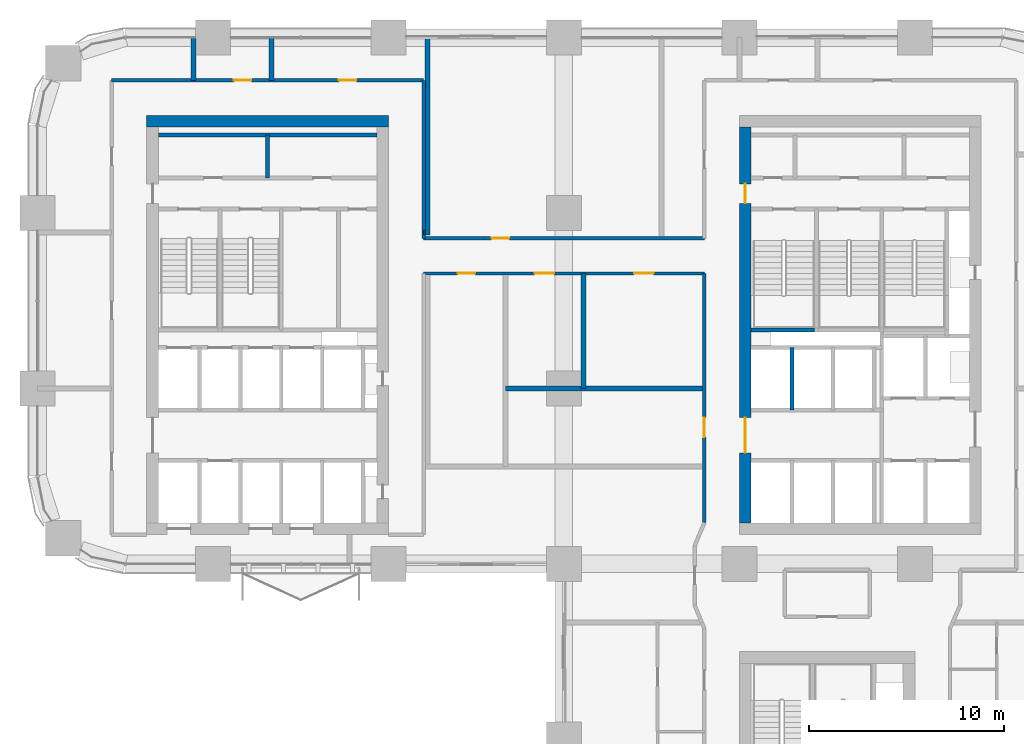
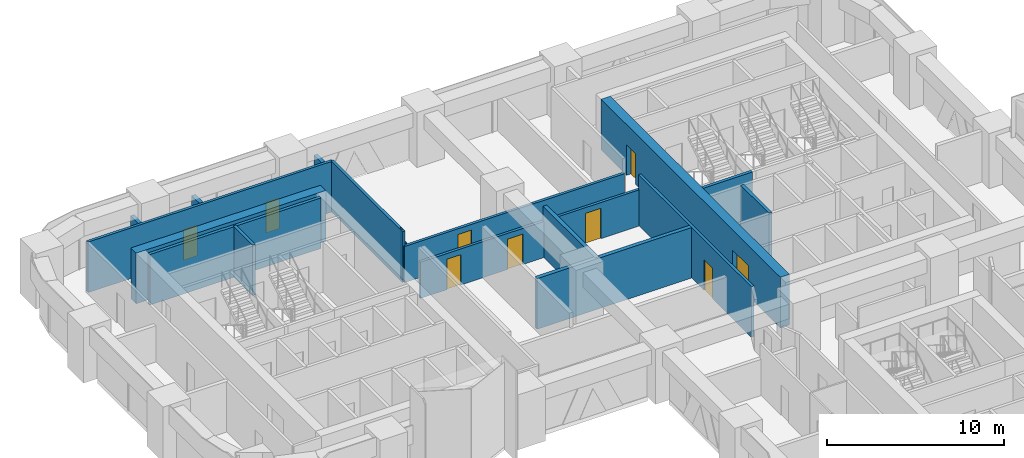
# One storey, part 16 of 24: 17 walls, 9 doors, 9 openings.
"""IFC4 building model written with IfcOpenShell, lengths in metres."""

from ifc_helpers import new_model, si_unit, direction, frame, frame_2d, origin, place, context, subcontext, project, spatial, rectangle, extrude, material, layer, layer_set, type_object, element, fill, save


model = new_model("IFC4")

# Units and contexts
model_context = context("Model", 3, precision=1e-05, world=origin(), true_north=direction((0.0, 1.0)))
body_context = subcontext(model_context, "Body", "Model", "MODEL_VIEW")
ifc_project = project(units=[si_unit("LENGTHUNIT", "METRE"), si_unit("AREAUNIT", "SQUARE_METRE"), si_unit("VOLUMEUNIT", "CUBIC_METRE"), si_unit("PLANEANGLEUNIT", "RADIAN"), si_unit("MASSUNIT", "GRAM", prefix="KILO")], contexts=[model_context])

# Site, building, storey
site_placement = place(None, origin())
site = spatial("IfcSite", under=ifc_project, at=site_placement, CompositionType="ELEMENT")
building_placement = place(site_placement, origin())
building = spatial("IfcBuilding", under=site, at=building_placement, Name="Tessera Arch", CompositionType="ELEMENT")
storey_placement = place(building_placement, frame((0.0, 0.0, 81.60009765625)))
storey = spatial("IfcBuildingStorey", under=building, at=storey_placement, Name="L18", CompositionType="ELEMENT", Elevation=81.60009765625)

# Walls
ifc_material_1 = material(Name="Gypsum board on steel stud", Category="steel")
ifc_layer_1 = layer(ifc_material_1, 0.125)
ifc_layer_set_1 = layer_set([ifc_layer_1], Name="Core partition 125 EI 60")
wall_type_1 = type_object("IfcWallType", Name="Core partition 125 EI 60", PredefinedType="PARTITIONING", material=ifc_layer_set_1)
wall_1_placement = place(storey_placement, frame((11.800048828125, 46.800048828125, 0.0), z_axis=(0.0, 0.0, 1.0), x_axis=(0.0, 1.0, 0.0)))
element("IfcWall", 1, at=wall_1_placement, inside=storey, type_object=wall_type_1, Name="L18 C2 partition wall 7", PredefinedType="PARTITIONING", context=body_context, shape_type="SweptSolid", body=[
    extrude(rectangle(XDim=2.199951171875, YDim=0.199951171875, at=frame_2d((1.10009765625, 0.0))), origin(), (0.0, 0.0, 1.0), 3.5),
])
wall_2_placement = place(storey_placement, frame((6.199951171875, 49.0, 0.0), z_axis=(0.0, 0.0, 1.0), x_axis=(1.0, 0.0, 0.0)))
element("IfcWall", 2, at=wall_2_placement, inside=storey, type_object=wall_type_1, Name="L18 C2 partition wall 27", PredefinedType="PARTITIONING", context=body_context, shape_type="SweptSolid", body=[
    extrude(rectangle(XDim=11.199951171875, YDim=0.199951171875, at=frame_2d((5.60009765625, 0.0))), origin(), (0.0, 0.0, 1.0), 3.5),
])

# Wall, openings, doors
ifc_material_2 = material(Name="Concrete C70/85", Category="concrete")
ifc_layer_2 = layer(ifc_material_2, 0.60009765625)
ifc_layer_set_2 = layer_set([ifc_layer_2], Name="Core shell wall 600 C70-85")
wall_type_2 = type_object("IfcWallType", Name="Core shell wall 600 C70-85", PredefinedType="SHEAR", material=ifc_layer_set_2)
wall_3_placement = place(storey_placement, frame((36.300048828125, 29.10009765625, 0.0), z_axis=(0.0, 0.0, 1.0), x_axis=(0.0, 1.0, 0.0)))
wall_3 = element("IfcWall", 3, at=wall_3_placement, inside=storey, type_object=wall_type_2, Name="L18 C1 core wall W", PredefinedType="SHEAR", context=body_context, shape_type="SweptSolid", body=[
    extrude(rectangle(XDim=20.2998046875, YDim=0.60009765625, at=frame_2d((10.14990234375, 0.0))), origin(), (0.0, 0.0, 1.0), 3.5),
])
opening_1_placement = place(wall_3_placement, frame((3.60009765625, 0.0, 0.0)))
opening_1 = element("IfcOpeningElement", 4, at=opening_1_placement, cuts=wall_3, Name="Opening L18-C04", PredefinedType="OPENING", context=body_context, shape_type="SweptSolid", body=[
    extrude(rectangle(XDim=1.800048828125, YDim=2.10009765625, at=frame_2d((0.89990234375, 1.050048828125))), frame((0.0, 0.31005859375, 0.0), z_axis=(0.0, -1.0, 0.0), x_axis=(1.0, 0.0, 0.0)), (0.0, 0.0, 1.0), 0.6201171875),
])
opening_2_placement = place(wall_3_placement, frame((16.39990234375, 0.0, 0.0)))
opening_2 = element("IfcOpeningElement", 5, at=opening_2_placement, cuts=wall_3, Name="Opening L18-C11", PredefinedType="OPENING", context=body_context, shape_type="SweptSolid", body=[
    extrude(rectangle(XDim=1.0, YDim=2.10009765625, at=frame_2d((0.5, 1.050048828125))), frame((0.0, 0.31005859375, 0.0), z_axis=(0.0, -1.0, 0.0), x_axis=(1.0, 0.0, 0.0)), (0.0, 0.0, 1.0), 0.6201171875),
])
ifc_material_3 = material(Name="Steel door leaf", Category="steel")
door_type_1 = type_object("IfcDoorType", Name="Corridor door FD60 1000 x 2100", OperationType="SINGLE_SWING_LEFT", PredefinedType="DOOR", material=ifc_material_3)
door_1_placement = place(opening_2_placement, origin())
door_1 = element("IfcDoor", 6, at=door_1_placement, inside=storey, type_object=door_type_1, Name="L18 C1 door 11 C11 type D12", OperationType="SINGLE_SWING_RIGHT", OverallHeight=2.10009765625, OverallWidth=1.0, PredefinedType="DOOR", context=body_context, shape_type="SweptSolid", body=[
    extrude(rectangle(XDim=1.0, YDim=2.10009765625, at=frame_2d((0.5, 1.050048828125))), frame((0.0, 0.02490234375, 0.0), z_axis=(0.0, -1.0, 0.0), x_axis=(1.0, 0.0, 0.0)), (0.0, 0.0, 1.0), 0.050048828125),
])
fill(opening_2, door_1)
ifc_material_4 = material(Name="Glazed steel door leaf", Category="steel")
door_type_2 = type_object("IfcDoorType", Name="Lobby double door FD30S 1800 x 2100", OperationType="DOUBLE_DOOR_SINGLE_SWING", PredefinedType="DOOR", material=ifc_material_4)
door_2_placement = place(opening_1_placement, origin())
door_2 = element("IfcDoor", 7, at=door_2_placement, inside=storey, type_object=door_type_2, Name="L18 C1 door 4 C04 type D06", OperationType="DOUBLE_DOOR_SINGLE_SWING", OverallHeight=2.10009765625, OverallWidth=1.800048828125, PredefinedType="DOOR", context=body_context, shape_type="SweptSolid", body=[
    extrude(rectangle(XDim=1.800048828125, YDim=2.10009765625, at=frame_2d((0.89990234375, 1.050048828125))), frame((0.0, 0.02490234375, 0.0), z_axis=(0.0, -1.0, 0.0), x_axis=(1.0, 0.0, 0.0)), (0.0, 0.0, 1.0), 0.050048828125),
])
fill(opening_1, door_2)

# Wall
wall_4_placement = place(storey_placement, frame((5.60009765625, 49.699951171875, 0.0), z_axis=(0.0, 0.0, 1.0), x_axis=(1.0, 0.0, 0.0)))
element("IfcWall", 8, at=wall_4_placement, inside=storey, type_object=wall_type_2, Name="L18 C2 core wall N", PredefinedType="SHEAR", context=body_context, shape_type="SweptSolid", body=[
    extrude(rectangle(XDim=12.39990234375, YDim=0.60009765625, at=frame_2d((6.199951171875, 0.0))), origin(), (0.0, 0.0, 1.0), 3.5),
])

# Wall, openings, doors
ifc_material_5 = material(Name="Gypsum board on deep steel stud with mineral wool", Category="steel")
ifc_layer_3 = layer(ifc_material_5, 0.175048828125)
ifc_layer_set_3 = layer_set([ifc_layer_3], Name="Corridor wall 175 EI 60")
wall_type_3 = type_object("IfcWallType", Name="Corridor wall 175 EI 60", PredefinedType="PARTITIONING", material=ifc_layer_set_3)
wall_5_placement = place(storey_placement, frame((19.800048828125, 41.89990234375, 0.0), z_axis=(0.0, 0.0, 1.0), x_axis=(1.0, 0.0, 0.0)))
wall_5 = element("IfcWall", 9, at=wall_5_placement, inside=storey, type_object=wall_type_3, Name="L18 partition 7", PredefinedType="PARTITIONING", context=body_context, shape_type="SweptSolid", body=[
    extrude(rectangle(XDim=14.39990234375, YDim=0.175048828125, at=frame_2d((7.199951171875, 0.0))), origin(), (0.0, 0.0, 1.0), 2.5),
])
opening_3_placement = place(wall_5_placement, frame((1.75, 0.0, 0.0)))
opening_3 = element("IfcOpeningElement", 10, at=opening_3_placement, cuts=wall_5, Name="Opening L18-D028", PredefinedType="OPENING", context=body_context, shape_type="SweptSolid", body=[
    extrude(rectangle(XDim=0.89990234375, YDim=2.10009765625, at=frame_2d((0.449951171875, 1.050048828125))), frame((0.0, 0.097412109375, 0.0), z_axis=(0.0, -1.0, 0.0), x_axis=(1.0, 0.0, 0.0)), (0.0, 0.0, 1.0), 0.195068359375),
])
opening_4_placement = place(wall_5_placement, frame((10.800048828125, 0.0, 0.0)))
opening_4 = element("IfcOpeningElement", 11, at=opening_4_placement, cuts=wall_5, Name="Opening L18-D029", PredefinedType="OPENING", context=body_context, shape_type="SweptSolid", body=[
    extrude(rectangle(XDim=1.0, YDim=2.10009765625, at=frame_2d((0.5, 1.050048828125))), frame((0.0, 0.097412109375, 0.0), z_axis=(0.0, -1.0, 0.0), x_axis=(1.0, 0.0, 0.0)), (0.0, 0.0, 1.0), 0.195068359375),
])
opening_5_placement = place(wall_5_placement, frame((5.699951171875, 0.0, 0.0)))
opening_5 = element("IfcOpeningElement", 12, at=opening_5_placement, cuts=wall_5, Name="Opening L18-D030", PredefinedType="OPENING", context=body_context, shape_type="SweptSolid", body=[
    extrude(rectangle(XDim=1.0, YDim=2.10009765625, at=frame_2d((0.5, 1.050048828125))), frame((0.0, 0.097412109375, 0.0), z_axis=(0.0, -1.0, 0.0), x_axis=(1.0, 0.0, 0.0)), (0.0, 0.0, 1.0), 0.195068359375),
])
ifc_material_6 = material(Name="Fire-rated door leaf")
door_type_3 = type_object("IfcDoorType", Name="Entrance door FD30S 1000 x 2100", OperationType="SINGLE_SWING_LEFT", PredefinedType="DOOR", material=ifc_material_6)
door_3_placement = place(opening_4_placement, origin())
door_3 = element("IfcDoor", 13, at=door_3_placement, inside=storey, type_object=door_type_3, Name="L18 door D029 type D03", OperationType="SINGLE_SWING_LEFT", OverallHeight=2.10009765625, OverallWidth=1.0, PredefinedType="DOOR", context=body_context, shape_type="SweptSolid", body=[
    extrude(rectangle(XDim=1.0, YDim=2.10009765625, at=frame_2d((0.5, 1.050048828125))), frame((0.0, 0.02490234375, 0.0), z_axis=(0.0, -1.0, 0.0), x_axis=(1.0, 0.0, 0.0)), (0.0, 0.0, 1.0), 0.050048828125),
])
fill(opening_4, door_3)
door_4_placement = place(opening_5_placement, origin())
door_4 = element("IfcDoor", 14, at=door_4_placement, inside=storey, type_object=door_type_3, Name="L18 door D030 type D03", OperationType="SINGLE_SWING_RIGHT", OverallHeight=2.10009765625, OverallWidth=1.0, PredefinedType="DOOR", context=body_context, shape_type="SweptSolid", body=[
    extrude(rectangle(XDim=1.0, YDim=2.10009765625, at=frame_2d((0.5, 1.050048828125))), frame((0.0, 0.02490234375, 0.0), z_axis=(0.0, -1.0, 0.0), x_axis=(1.0, 0.0, 0.0)), (0.0, 0.0, 1.0), 0.050048828125),
])
fill(opening_5, door_4)
ifc_material_7 = material(Name="Timber door leaf", Category="wood")
door_type_4 = type_object("IfcDoorType", Name="Room door 900 x 2100", OperationType="SINGLE_SWING_LEFT", PredefinedType="DOOR", material=ifc_material_7)
door_5_placement = place(opening_3_placement, origin())
door_5 = element("IfcDoor", 15, at=door_5_placement, inside=storey, type_object=door_type_4, Name="L18 door D028 type D01", OperationType="SINGLE_SWING_RIGHT", OverallHeight=2.10009765625, OverallWidth=0.89990234375, PredefinedType="DOOR", context=body_context, shape_type="SweptSolid", body=[
    extrude(rectangle(XDim=0.89990234375, YDim=2.10009765625, at=frame_2d((0.449951171875, 1.050048828125))), frame((0.0, 0.02490234375, 0.0), z_axis=(0.0, -1.0, 0.0), x_axis=(1.0, 0.0, 0.0)), (0.0, 0.0, 1.0), 0.050048828125),
])
fill(opening_3, door_5)

# Wall, opening, door
wall_6_placement = place(storey_placement, frame((19.800048828125, 43.699951171875, 0.0), z_axis=(0.0, 0.0, 1.0), x_axis=(1.0, 0.0, 0.0)))
wall_6 = element("IfcWall", 16, at=wall_6_placement, inside=storey, type_object=wall_type_3, Name="L18 partition 8", PredefinedType="PARTITIONING", context=body_context, shape_type="SweptSolid", body=[
    extrude(rectangle(XDim=14.39990234375, YDim=0.175048828125, at=frame_2d((7.199951171875, 0.0))), origin(), (0.0, 0.0, 1.0), 2.5),
])
opening_6_placement = place(wall_6_placement, frame((3.489990234375, 0.0, 0.0)))
opening_6 = element("IfcOpeningElement", 17, at=opening_6_placement, cuts=wall_6, Name="Opening L18-D033", PredefinedType="OPENING", context=body_context, shape_type="SweptSolid", body=[
    extrude(rectangle(XDim=0.89990234375, YDim=2.10009765625, at=frame_2d((0.449951171875, 1.050048828125))), frame((0.0, 0.097412109375, 0.0), z_axis=(0.0, -1.0, 0.0), x_axis=(1.0, 0.0, 0.0)), (0.0, 0.0, 1.0), 0.195068359375),
])
door_6_placement = place(opening_6_placement, origin())
door_6 = element("IfcDoor", 18, at=door_6_placement, inside=storey, type_object=door_type_4, Name="L18 door D033 type D01", OperationType="SINGLE_SWING_RIGHT", OverallHeight=2.10009765625, OverallWidth=0.89990234375, PredefinedType="DOOR", context=body_context, shape_type="SweptSolid", body=[
    extrude(rectangle(XDim=0.89990234375, YDim=2.10009765625, at=frame_2d((0.449951171875, 1.050048828125))), frame((0.0, 0.02490234375, 0.0), z_axis=(0.0, -1.0, 0.0), x_axis=(1.0, 0.0, 0.0)), (0.0, 0.0, 1.0), 0.050048828125),
])
fill(opening_6, door_6)

# Wall, openings, doors
wall_7_placement = place(storey_placement, frame((3.800048828125, 51.800048828125, 0.0), z_axis=(0.0, 0.0, 1.0), x_axis=(1.0, 0.0, 0.0)))
wall_7 = element("IfcWall", 19, at=wall_7_placement, inside=storey, type_object=wall_type_3, Name="L18 partition 9", PredefinedType="PARTITIONING", context=body_context, shape_type="SweptSolid", body=[
    extrude(rectangle(XDim=16.0, YDim=0.175048828125, at=frame_2d((8.0, 0.0))), origin(), (0.0, 0.0, 1.0), 3.5),
])
opening_7_placement = place(wall_7_placement, frame((11.64990234375, 0.0, 0.0)))
opening_7 = element("IfcOpeningElement", 20, at=opening_7_placement, cuts=wall_7, Name="Opening L18-D037", PredefinedType="OPENING", context=body_context, shape_type="SweptSolid", body=[
    extrude(rectangle(XDim=0.89990234375, YDim=2.10009765625, at=frame_2d((0.449951171875, 1.050048828125))), frame((0.0, 0.097412109375, 0.0), z_axis=(0.0, -1.0, 0.0), x_axis=(1.0, 0.0, 0.0)), (0.0, 0.0, 1.0), 0.195068359375),
])
opening_8_placement = place(wall_7_placement, frame((6.27001953125, 0.0, 0.0)))
opening_8 = element("IfcOpeningElement", 21, at=opening_8_placement, cuts=wall_7, Name="Opening L18-D038", PredefinedType="OPENING", context=body_context, shape_type="SweptSolid", body=[
    extrude(rectangle(XDim=0.89990234375, YDim=2.10009765625, at=frame_2d((0.449951171875, 1.050048828125))), frame((0.0, 0.097412109375, 0.0), z_axis=(0.0, -1.0, 0.0), x_axis=(1.0, 0.0, 0.0)), (0.0, 0.0, 1.0), 0.195068359375),
])
door_7_placement = place(opening_7_placement, origin())
door_7 = element("IfcDoor", 22, at=door_7_placement, inside=storey, type_object=door_type_4, Name="L18 door D037 type D01", OperationType="SINGLE_SWING_RIGHT", OverallHeight=2.10009765625, OverallWidth=0.89990234375, PredefinedType="DOOR", context=body_context, shape_type="SweptSolid", body=[
    extrude(rectangle(XDim=0.89990234375, YDim=2.10009765625, at=frame_2d((0.449951171875, 1.050048828125))), frame((0.0, 0.02490234375, 0.0), z_axis=(0.0, -1.0, 0.0), x_axis=(1.0, 0.0, 0.0)), (0.0, 0.0, 1.0), 0.050048828125),
])
fill(opening_7, door_7)
door_8_placement = place(opening_8_placement, origin())
door_8 = element("IfcDoor", 23, at=door_8_placement, inside=storey, type_object=door_type_4, Name="L18 door D038 type D01", OperationType="SINGLE_SWING_LEFT", OverallHeight=2.10009765625, OverallWidth=0.89990234375, PredefinedType="DOOR", context=body_context, shape_type="SweptSolid", body=[
    extrude(rectangle(XDim=0.89990234375, YDim=2.10009765625, at=frame_2d((0.449951171875, 1.050048828125))), frame((0.0, 0.02490234375, 0.0), z_axis=(0.0, -1.0, 0.0), x_axis=(1.0, 0.0, 0.0)), (0.0, 0.0, 1.0), 0.050048828125),
])
fill(opening_8, door_8)

# Wall
wall_8_placement = place(storey_placement, frame((19.800048828125, 43.699951171875, 0.0), z_axis=(0.0, 0.0, 1.0), x_axis=(0.0, 1.0, 0.0)))
element("IfcWall", 24, at=wall_8_placement, inside=storey, type_object=wall_type_3, Name="L18 partition 13", PredefinedType="PARTITIONING", context=body_context, shape_type="SweptSolid", body=[
    extrude(rectangle(XDim=8.10009765625, YDim=0.175048828125, at=frame_2d((4.050048828125, 0.0))), origin(), (0.0, 0.0, 1.0), 3.5),
])

# Wall, opening, door
wall_9_placement = place(storey_placement, frame((34.199951171875, 29.1201171875, 0.0), z_axis=(0.0, 0.0, 1.0), x_axis=(0.0, 1.0, 0.0)))
wall_9 = element("IfcWall", 25, at=wall_9_placement, inside=storey, type_object=wall_type_3, Name="L18 partition 16", PredefinedType="PARTITIONING", context=body_context, shape_type="SweptSolid", body=[
    extrude(rectangle(XDim=12.77978515625, YDim=0.175048828125, at=frame_2d((6.389892578125, 0.0))), origin(), (0.0, 0.0, 1.0), 3.5),
])
opening_9_placement = place(wall_9_placement, frame((4.3798828125, 0.0, 0.0)))
opening_9 = element("IfcOpeningElement", 26, at=opening_9_placement, cuts=wall_9, Name="Opening L18-D027", PredefinedType="OPENING", context=body_context, shape_type="SweptSolid", body=[
    extrude(rectangle(XDim=1.0, YDim=2.10009765625, at=frame_2d((0.5, 1.050048828125))), frame((0.0, 0.097412109375, 0.0), z_axis=(0.0, -1.0, 0.0), x_axis=(1.0, 0.0, 0.0)), (0.0, 0.0, 1.0), 0.195068359375),
])
door_9_placement = place(opening_9_placement, origin())
door_9 = element("IfcDoor", 27, at=door_9_placement, inside=storey, type_object=door_type_3, Name="L18 door D027 type D03", OperationType="SINGLE_SWING_RIGHT", OverallHeight=2.10009765625, OverallWidth=1.0, PredefinedType="DOOR", context=body_context, shape_type="SweptSolid", body=[
    extrude(rectangle(XDim=1.0, YDim=2.10009765625, at=frame_2d((0.5, 1.050048828125))), frame((0.0, 0.02490234375, 0.0), z_axis=(0.0, -1.0, 0.0), x_axis=(1.0, 0.0, 0.0)), (0.0, 0.0, 1.0), 0.050048828125),
])
fill(opening_9, door_9)

# Walls
ifc_material_8 = material(Name="Double gypsum board on twin steel stud with acoustic mineral wool", Category="steel")
ifc_layer_4 = layer(ifc_material_8, 0.25)
ifc_layer_set_4 = layer_set([ifc_layer_4], Name="Party wall 250 EI 60")
wall_type_4 = type_object("IfcWallType", Name="Party wall 250 EI 60", PredefinedType="PARTITIONING", material=ifc_layer_set_4)
wall_10_placement = place(storey_placement, frame((24.0, 36.0, 0.0), z_axis=(0.0, 0.0, 1.0), x_axis=(1.0, 0.0, 0.0)))
element("IfcWall", 28, at=wall_10_placement, inside=storey, type_object=wall_type_4, Name="L18 partition 39", PredefinedType="PARTITIONING", context=body_context, shape_type="SweptSolid", body=[
    extrude(rectangle(XDim=10.199951171875, YDim=0.25, at=frame_2d((5.10009765625, 0.0))), origin(), (0.0, 0.0, 1.0), 3.5),
])
wall_11_placement = place(storey_placement, frame((19.800048828125, 44.0, 0.0), z_axis=(0.0, 0.0, 1.0), x_axis=(1.0, 0.0, 0.0)))
element("IfcWall", 29, at=wall_11_placement, inside=storey, type_object=wall_type_4, Name="L18 partition 42", PredefinedType="PARTITIONING", context=body_context, shape_type="SweptSolid", body=[
    extrude(rectangle(XDim=0.074951171875, YDim=0.25, at=frame_2d((0.03759765625, 0.0))), origin(), (0.0, 0.0, 1.0), 3.5),
])
for number, where, z_axis, x_axis, name in (
    (30, (8.0, 51.800048828125, 0.0), (0.0, 0.0, 1.0), (0.0, 1.0, 0.0), "L18 partition 44"),
    (31, (12.0, 51.800048828125, 0.0), (0.0, 0.0, 1.0), (0.0, 1.0, 0.0), "L18 partition 45"),
):
    element("IfcWall", number, at=place(storey_placement, frame(where, z_axis=z_axis, x_axis=x_axis)), inside=storey, type_object=wall_type_4, Name=name, PredefinedType="PARTITIONING", context=body_context, shape_type="SweptSolid", body=[
        extrude(rectangle(XDim=2.199951171875, YDim=0.25, at=frame_2d((1.10009765625, 0.0))), origin(), (0.0, 0.0, 1.0), 2.5),
    ])
wall_12_placement = place(storey_placement, frame((20.0, 43.875, 0.0), z_axis=(0.0, 0.0, 1.0), x_axis=(0.0, 1.0, 0.0)))
element("IfcWall", 32, at=wall_12_placement, inside=storey, type_object=wall_type_4, Name="L18 partition 48", PredefinedType="PARTITIONING", context=body_context, shape_type="SweptSolid", body=[
    extrude(rectangle(XDim=10.125, YDim=0.25, at=frame_2d((5.0625, 0.0))), origin(), (0.0, 0.0, 1.0), 2.5),
])
wall_13_placement = place(storey_placement, frame((28.0, 36.0, 0.0), z_axis=(0.0, 0.0, 1.0), x_axis=(0.0, 1.0, 0.0)))
element("IfcWall", 33, at=wall_13_placement, inside=storey, type_object=wall_type_4, Name="L18 partition 50", PredefinedType="PARTITIONING", context=body_context, shape_type="SweptSolid", body=[
    extrude(rectangle(XDim=5.89990234375, YDim=0.25, at=frame_2d((2.949951171875, 0.0))), origin(), (0.0, 0.0, 1.0), 3.5),
])
ifc_material_9 = material(Name="Concrete C40/50", Category="concrete")
ifc_layer_5 = layer(ifc_material_9, 0.199951171875)
ifc_layer_set_5 = layer_set([ifc_layer_5], Name="Shaft wall 200 EI 120")
wall_type_5 = type_object("IfcWallType", Name="Shaft wall 200 EI 120", PredefinedType="SOLIDWALL", material=ifc_layer_set_5)
wall_14_placement = place(storey_placement, frame((38.699951171875, 34.89990234375, 0.0), z_axis=(0.0, 0.0, 1.0), x_axis=(0.0, 1.0, 0.0)))
element("IfcWall", 34, at=wall_14_placement, inside=storey, type_object=wall_type_5, Name="L18 C1 shaft wall 2", PredefinedType="SOLIDWALL", context=body_context, shape_type="SweptSolid", body=[
    extrude(rectangle(XDim=3.2001953125, YDim=0.199951171875, at=frame_2d((1.60009765625, 0.0))), origin(), (0.0, 0.0, 1.0), 3.5),
])
ifc_material_10 = material(Name="Concrete C40/50", Category="concrete")
ifc_layer_6 = layer(ifc_material_10, 0.199951171875)
ifc_layer_set_6 = layer_set([ifc_layer_6], Name="Stair well wall 200 REI 180")
wall_type_6 = type_object("IfcWallType", Name="Stair well wall 200 REI 180", PredefinedType="SOLIDWALL", material=ifc_layer_set_6)
wall_15_placement = place(storey_placement, frame((36.60009765625, 39.0, 0.0), z_axis=(0.0, 0.0, 1.0), x_axis=(1.0, 0.0, 0.0)))
element("IfcWall", 35, at=wall_15_placement, inside=storey, type_object=wall_type_6, Name="L18 C1 shaft wall 25", PredefinedType="SOLIDWALL", context=body_context, shape_type="SweptSolid", body=[
    extrude(rectangle(XDim=3.25, YDim=0.199951171875, at=frame_2d((1.625, 0.0))), origin(), (0.0, 0.0, 1.0), 3.5),
])

save(model, "model.ifc")
